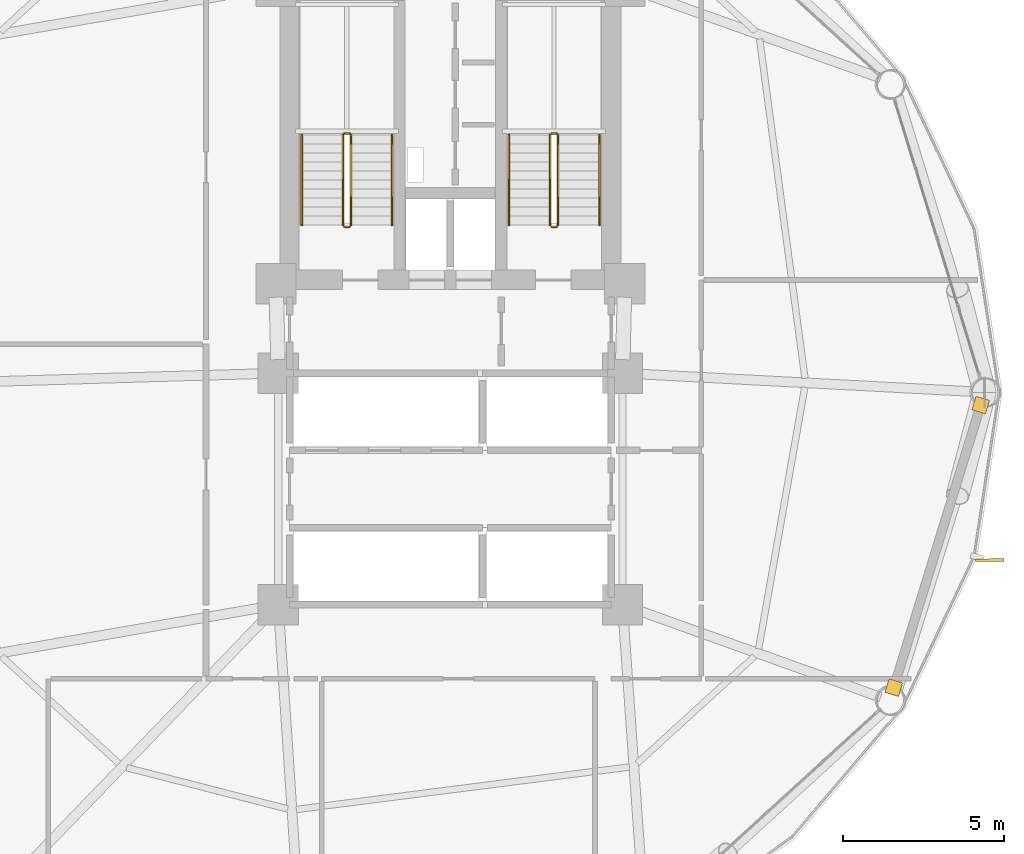
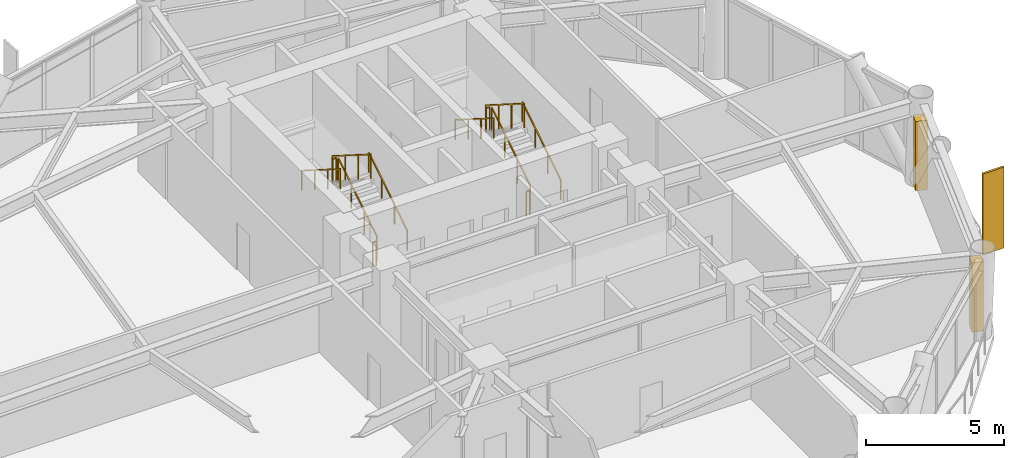
# One storey, part 25 of 26: 12 railings, 2 coverings, 1 shading device.
"""IFC4 building model written with IfcOpenShell, lengths in metres."""

from ifc_helpers import new_model, si_unit, direction, frame, origin, origin_2d, place, context, subcontext, project, spatial, rectangle, extrude, source, transform, mapped, material, layer, layer_set, type_object, type_shapes, element, save


model = new_model("IFC4")

# Units and contexts
model_context = context("Model", 3, precision=1e-05, world=origin(), true_north=direction((0.0, 1.0)))
body_context = subcontext(model_context, "Body", "Model", "MODEL_VIEW")
ifc_project = project(units=[si_unit("LENGTHUNIT", "METRE"), si_unit("AREAUNIT", "SQUARE_METRE"), si_unit("VOLUMEUNIT", "CUBIC_METRE"), si_unit("PLANEANGLEUNIT", "RADIAN"), si_unit("MASSUNIT", "GRAM", prefix="KILO")], contexts=[model_context])

# Site, building, storey
site_placement = place(None, origin())
site = spatial("IfcSite", under=ifc_project, at=site_placement, CompositionType="ELEMENT")
building_placement = place(site_placement, origin())
building = spatial("IfcBuilding", under=site, at=building_placement, Name="Varnakorn Sky Granary", CompositionType="ELEMENT")
storey_placement = place(building_placement, frame((0.0, 0.0, 51.0)))
storey = spatial("IfcBuildingStorey", under=building, at=storey_placement, Name="L12", CompositionType="ELEMENT", Elevation=51.0)

# Railings
ifc_material_1 = material(Name="Brushed Stainless Steel 316", Category="steel")
railing_type_1 = type_object("IfcRailingType", Name="RL-STAIR-1100", PredefinedType="GUARDRAIL", material=ifc_material_1)
railing_1_placement = place(storey_placement, frame((-0.090087890625, 5.199951171875, 0.17724609375)))
element("IfcRailing", 1, at=railing_1_placement, inside=storey, type_object=railing_type_1, Name="L12 ST-1 stair guard 1", PredefinedType="GUARDRAIL", context=body_context, shape_type="SweptSolid", body=[
    extrude(rectangle(XDim=0.048095703125, YDim=0.048095703125, at=origin_2d()), frame((0.0, 0.0, 1.076171875), z_axis=(0.0, 0.844908973607, 0.534910110503), x_axis=(-1.0, 0.0, 0.0)), (0.0, 0.0, 1.0), 3.31396484375),
    extrude(rectangle(XDim=0.0419921875, YDim=0.0419921875, at=origin_2d()), origin(), (0.0, 0.0, 1.0), 1.048095703125),
    extrude(rectangle(XDim=0.0419921875, YDim=0.0419921875, at=origin_2d()), frame((0.0, 0.933349609375, 0.5908203125)), (0.0, 0.0, 1.0), 1.048095703125),
    extrude(rectangle(XDim=0.0419921875, YDim=0.0419921875, at=origin_2d()), frame((0.0, 1.86669921875, 1.181884765625)), (0.0, 0.0, 1.0), 1.048095703125),
    extrude(rectangle(XDim=0.0419921875, YDim=0.0419921875, at=origin_2d()), frame((0.0, 2.800048828125, 1.772705078125)), (0.0, 0.0, 1.0), 1.048095703125),
])
railing_2_placement = place(storey_placement, frame((-0.139892578125, 8.050048828125, 1.949951171875)))
element("IfcRailing", 2, at=railing_2_placement, inside=storey, type_object=railing_type_1, Name="L12 ST-1 stair guard 2", PredefinedType="GUARDRAIL", context=body_context, shape_type="SweptSolid", body=[
    extrude(rectangle(XDim=0.048095703125, YDim=0.048095703125, at=origin_2d()), frame((0.0, 0.0, 1.076171875), z_axis=(-1.0, 0.0, 0.0), x_axis=(0.0, -1.0, 0.0)), (0.0, 0.0, 1.0), 0.150146484375),
    extrude(rectangle(XDim=0.0419921875, YDim=0.0419921875, at=origin_2d()), origin(), (0.0, 0.0, 1.0), 1.048095703125),
    extrude(rectangle(XDim=0.0419921875, YDim=0.0419921875, at=origin_2d()), frame((-0.150146484375, 0.0, 0.0)), (0.0, 0.0, 1.0), 1.048095703125),
])
railing_3_placement = place(storey_placement, frame((-0.340087890625, 8.0, 2.127197265625)))
element("IfcRailing", 3, at=railing_3_placement, inside=storey, type_object=railing_type_1, Name="L12 ST-1 stair guard 3", PredefinedType="GUARDRAIL", context=body_context, shape_type="SweptSolid", body=[
    extrude(rectangle(XDim=0.048095703125, YDim=0.048095703125, at=origin_2d()), frame((0.0, 0.0, 1.076171875), z_axis=(0.0, -0.844908973607, 0.534910110503), x_axis=(1.0, 0.0, 0.0)), (0.0, 0.0, 1.0), 3.31396484375),
    extrude(rectangle(XDim=0.0419921875, YDim=0.0419921875, at=origin_2d()), origin(), (0.0, 0.0, 1.0), 1.048095703125),
    extrude(rectangle(XDim=0.0419921875, YDim=0.0419921875, at=origin_2d()), frame((0.0, -0.933349609375, 0.5908203125)), (0.0, 0.0, 1.0), 1.048095703125),
    extrude(rectangle(XDim=0.0419921875, YDim=0.0419921875, at=origin_2d()), frame((0.0, -1.86669921875, 1.181884765625)), (0.0, 0.0, 1.0), 1.048095703125),
    extrude(rectangle(XDim=0.0419921875, YDim=0.0419921875, at=origin_2d()), frame((0.0, -2.800048828125, 1.772705078125)), (0.0, 0.0, 1.0), 1.048095703125),
])
railing_4_placement = place(storey_placement, frame((-0.139892578125, 5.14990234375, 0.0)))
element("IfcRailing", 4, at=railing_4_placement, inside=storey, type_object=railing_type_1, Name="L12 ST-1 stair guard 4", PredefinedType="GUARDRAIL", context=body_context, shape_type="SweptSolid", body=[
    extrude(rectangle(XDim=0.048095703125, YDim=0.048095703125, at=origin_2d()), frame((0.0, 0.0, 1.076171875), z_axis=(-1.0, 0.0, 0.0), x_axis=(0.0, -1.0, 0.0)), (0.0, 0.0, 1.0), 0.150146484375),
    extrude(rectangle(XDim=0.0419921875, YDim=0.0419921875, at=origin_2d()), origin(), (0.0, 0.0, 1.0), 1.048095703125),
    extrude(rectangle(XDim=0.0419921875, YDim=0.0419921875, at=origin_2d()), frame((-0.150146484375, 0.0, 0.0)), (0.0, 0.0, 1.0), 1.048095703125),
])
railing_5_placement = place(storey_placement, frame((6.35009765625, 5.199951171875, 0.17724609375)))
element("IfcRailing", 5, at=railing_5_placement, inside=storey, type_object=railing_type_1, Name="L12 ST-2 stair guard 1", PredefinedType="GUARDRAIL", context=body_context, shape_type="SweptSolid", body=[
    extrude(rectangle(XDim=0.048095703125, YDim=0.048095703125, at=origin_2d()), frame((0.0, 0.0, 1.076171875), z_axis=(0.0, 0.844908973607, 0.534910110503), x_axis=(-1.0, 0.0, 0.0)), (0.0, 0.0, 1.0), 3.31396484375),
    extrude(rectangle(XDim=0.0419921875, YDim=0.0419921875, at=origin_2d()), origin(), (0.0, 0.0, 1.0), 1.048095703125),
    extrude(rectangle(XDim=0.0419921875, YDim=0.0419921875, at=origin_2d()), frame((0.0, 0.933349609375, 0.5908203125)), (0.0, 0.0, 1.0), 1.048095703125),
    extrude(rectangle(XDim=0.0419921875, YDim=0.0419921875, at=origin_2d()), frame((0.0, 1.86669921875, 1.181884765625)), (0.0, 0.0, 1.0), 1.048095703125),
    extrude(rectangle(XDim=0.0419921875, YDim=0.0419921875, at=origin_2d()), frame((0.0, 2.800048828125, 1.772705078125)), (0.0, 0.0, 1.0), 1.048095703125),
])
railing_6_placement = place(storey_placement, frame((6.300048828125, 8.050048828125, 1.949951171875)))
element("IfcRailing", 6, at=railing_6_placement, inside=storey, type_object=railing_type_1, Name="L12 ST-2 stair guard 2", PredefinedType="GUARDRAIL", context=body_context, shape_type="SweptSolid", body=[
    extrude(rectangle(XDim=0.048095703125, YDim=0.048095703125, at=origin_2d()), frame((0.0, 0.0, 1.076171875), z_axis=(-1.0, 0.0, 0.0), x_axis=(0.0, -1.0, 0.0)), (0.0, 0.0, 1.0), 0.150146484375),
    extrude(rectangle(XDim=0.0419921875, YDim=0.0419921875, at=origin_2d()), origin(), (0.0, 0.0, 1.0), 1.048095703125),
    extrude(rectangle(XDim=0.0419921875, YDim=0.0419921875, at=origin_2d()), frame((-0.150146484375, 0.0, 0.0)), (0.0, 0.0, 1.0), 1.048095703125),
])
railing_7_placement = place(storey_placement, frame((6.10009765625, 8.0, 2.127197265625)))
element("IfcRailing", 7, at=railing_7_placement, inside=storey, type_object=railing_type_1, Name="L12 ST-2 stair guard 3", PredefinedType="GUARDRAIL", context=body_context, shape_type="SweptSolid", body=[
    extrude(rectangle(XDim=0.048095703125, YDim=0.048095703125, at=origin_2d()), frame((0.0, 0.0, 1.076171875), z_axis=(0.0, -0.844908973607, 0.534910110503), x_axis=(1.0, 0.0, 0.0)), (0.0, 0.0, 1.0), 3.31396484375),
    extrude(rectangle(XDim=0.0419921875, YDim=0.0419921875, at=origin_2d()), origin(), (0.0, 0.0, 1.0), 1.048095703125),
    extrude(rectangle(XDim=0.0419921875, YDim=0.0419921875, at=origin_2d()), frame((0.0, -0.933349609375, 0.5908203125)), (0.0, 0.0, 1.0), 1.048095703125),
    extrude(rectangle(XDim=0.0419921875, YDim=0.0419921875, at=origin_2d()), frame((0.0, -1.86669921875, 1.181884765625)), (0.0, 0.0, 1.0), 1.048095703125),
    extrude(rectangle(XDim=0.0419921875, YDim=0.0419921875, at=origin_2d()), frame((0.0, -2.800048828125, 1.772705078125)), (0.0, 0.0, 1.0), 1.048095703125),
])
railing_8_placement = place(storey_placement, frame((6.300048828125, 5.14990234375, 0.0)))
element("IfcRailing", 8, at=railing_8_placement, inside=storey, type_object=railing_type_1, Name="L12 ST-2 stair guard 4", PredefinedType="GUARDRAIL", context=body_context, shape_type="SweptSolid", body=[
    extrude(rectangle(XDim=0.048095703125, YDim=0.048095703125, at=origin_2d()), frame((0.0, 0.0, 1.076171875), z_axis=(-1.0, 0.0, 0.0), x_axis=(0.0, -1.0, 0.0)), (0.0, 0.0, 1.0), 0.150146484375),
    extrude(rectangle(XDim=0.0419921875, YDim=0.0419921875, at=origin_2d()), origin(), (0.0, 0.0, 1.0), 1.048095703125),
    extrude(rectangle(XDim=0.0419921875, YDim=0.0419921875, at=origin_2d()), frame((-0.150146484375, 0.0, 0.0)), (0.0, 0.0, 1.0), 1.048095703125),
])
railing_type_2 = type_object("IfcRailingType", Name="RL-STAIR-920", PredefinedType="HANDRAIL", material=ifc_material_1)
railing_9_placement = place(storey_placement, frame((1.18994140625, 5.199951171875, 0.17724609375)))
element("IfcRailing", 9, at=railing_9_placement, inside=storey, type_object=railing_type_2, Name="L12 ST-1 stair handrail 1", PredefinedType="HANDRAIL", context=body_context, shape_type="SweptSolid", body=[
    extrude(rectangle(XDim=0.048095703125, YDim=0.048095703125, at=origin_2d()), frame((0.0, 0.0, 0.8759765625), z_axis=(0.0, 0.844908973607, 0.534910110503), x_axis=(-1.0, 0.0, 0.0)), (0.0, 0.0, 1.0), 3.31396484375),
    extrude(rectangle(XDim=0.0419921875, YDim=0.0419921875, at=origin_2d()), origin(), (0.0, 0.0, 1.0), 0.847900390625),
    extrude(rectangle(XDim=0.0419921875, YDim=0.0419921875, at=origin_2d()), frame((0.0, 0.933349609375, 0.5908203125)), (0.0, 0.0, 1.0), 0.847900390625),
    extrude(rectangle(XDim=0.0419921875, YDim=0.0419921875, at=origin_2d()), frame((0.0, 1.86669921875, 1.181884765625)), (0.0, 0.0, 1.0), 0.847900390625),
    extrude(rectangle(XDim=0.0419921875, YDim=0.0419921875, at=origin_2d()), frame((0.0, 2.800048828125, 1.772705078125)), (0.0, 0.0, 1.0), 0.847900390625),
])
railing_10_placement = place(storey_placement, frame((-1.6201171875, 8.0, 2.127197265625)))
element("IfcRailing", 10, at=railing_10_placement, inside=storey, type_object=railing_type_2, Name="L12 ST-1 stair handrail 2", PredefinedType="HANDRAIL", context=body_context, shape_type="SweptSolid", body=[
    extrude(rectangle(XDim=0.048095703125, YDim=0.048095703125, at=origin_2d()), frame((0.0, 0.0, 0.8759765625), z_axis=(0.0, -0.844908973607, 0.534910110503), x_axis=(1.0, 0.0, 0.0)), (0.0, 0.0, 1.0), 3.31396484375),
    extrude(rectangle(XDim=0.0419921875, YDim=0.0419921875, at=origin_2d()), origin(), (0.0, 0.0, 1.0), 0.847900390625),
    extrude(rectangle(XDim=0.0419921875, YDim=0.0419921875, at=origin_2d()), frame((0.0, -0.933349609375, 0.5908203125)), (0.0, 0.0, 1.0), 0.847900390625),
    extrude(rectangle(XDim=0.0419921875, YDim=0.0419921875, at=origin_2d()), frame((0.0, -1.86669921875, 1.181884765625)), (0.0, 0.0, 1.0), 0.847900390625),
    extrude(rectangle(XDim=0.0419921875, YDim=0.0419921875, at=origin_2d()), frame((0.0, -2.800048828125, 1.772705078125)), (0.0, 0.0, 1.0), 0.847900390625),
])
railing_11_placement = place(storey_placement, frame((7.6298828125, 5.199951171875, 0.17724609375)))
element("IfcRailing", 11, at=railing_11_placement, inside=storey, type_object=railing_type_2, Name="L12 ST-2 stair handrail 1", PredefinedType="HANDRAIL", context=body_context, shape_type="SweptSolid", body=[
    extrude(rectangle(XDim=0.048095703125, YDim=0.048095703125, at=origin_2d()), frame((0.0, 0.0, 0.8759765625), z_axis=(0.0, 0.844908973607, 0.534910110503), x_axis=(-1.0, 0.0, 0.0)), (0.0, 0.0, 1.0), 3.31396484375),
    extrude(rectangle(XDim=0.0419921875, YDim=0.0419921875, at=origin_2d()), origin(), (0.0, 0.0, 1.0), 0.847900390625),
    extrude(rectangle(XDim=0.0419921875, YDim=0.0419921875, at=origin_2d()), frame((0.0, 0.933349609375, 0.5908203125)), (0.0, 0.0, 1.0), 0.847900390625),
    extrude(rectangle(XDim=0.0419921875, YDim=0.0419921875, at=origin_2d()), frame((0.0, 1.86669921875, 1.181884765625)), (0.0, 0.0, 1.0), 0.847900390625),
    extrude(rectangle(XDim=0.0419921875, YDim=0.0419921875, at=origin_2d()), frame((0.0, 2.800048828125, 1.772705078125)), (0.0, 0.0, 1.0), 0.847900390625),
])
railing_12_placement = place(storey_placement, frame((4.820068359375, 8.0, 2.127197265625)))
element("IfcRailing", 12, at=railing_12_placement, inside=storey, type_object=railing_type_2, Name="L12 ST-2 stair handrail 2", PredefinedType="HANDRAIL", context=body_context, shape_type="SweptSolid", body=[
    extrude(rectangle(XDim=0.048095703125, YDim=0.048095703125, at=origin_2d()), frame((0.0, 0.0, 0.8759765625), z_axis=(0.0, -0.844908973607, 0.534910110503), x_axis=(1.0, 0.0, 0.0)), (0.0, 0.0, 1.0), 3.31396484375),
    extrude(rectangle(XDim=0.0419921875, YDim=0.0419921875, at=origin_2d()), origin(), (0.0, 0.0, 1.0), 0.847900390625),
    extrude(rectangle(XDim=0.0419921875, YDim=0.0419921875, at=origin_2d()), frame((0.0, -0.933349609375, 0.5908203125)), (0.0, 0.0, 1.0), 0.847900390625),
    extrude(rectangle(XDim=0.0419921875, YDim=0.0419921875, at=origin_2d()), frame((0.0, -1.86669921875, 1.181884765625)), (0.0, 0.0, 1.0), 0.847900390625),
    extrude(rectangle(XDim=0.0419921875, YDim=0.0419921875, at=origin_2d()), frame((0.0, -2.800048828125, 1.772705078125)), (0.0, 0.0, 1.0), 0.847900390625),
])

# Shading device
ifc_material_2 = material(Name="Anodised Bronze Aluminium Alloy 6063-T6", Category="aluminium")
shading_device_type = type_object("IfcShadingDeviceType", Name="SH-FIN-01", PredefinedType="USERDEFINED", material=ifc_material_2)
shared_shape_1 = source(origin(), body_context, "Body", "SweptSolid", [
    extrude(rectangle(XDim=0.0849609375, YDim=0.8798828125, at=origin_2d()), origin(), (0.0, 0.0, 1.0), 3.60009765625),
])
type_shapes(shading_device_type, [shared_shape_1])
shading_device_placement = place(storey_placement, frame((19.765625, -5.211669921875, -0.0400390625), z_axis=(0.0, 0.0, 1.0), x_axis=(-0.007270617003, 0.999973568715, 0.0)))
element("IfcShadingDevice", 13, at=shading_device_placement, inside=storey, type_object=shading_device_type, Name="Bronze Solar-Tracking Vertical Blade FIN L12-12", ObjectType="FIN", PredefinedType="USERDEFINED", context=body_context, shape_type="MappedRepresentation", body=[
    mapped(shared_shape_1, transform((0.0, 0.0, 0.0), x_axis=(1.0, 0.0, 0.0), y_axis=(0.0, 1.0, 0.0), z_axis=(0.0, 0.0, 1.0), scale=1.0)),
])

# Coverings
ifc_layer = layer(ifc_material_2, 0.050048828125, Name="Anodised Bronze Aluminium Alloy 6063-T6")
ifc_layer_set = layer_set([ifc_layer], Name="Anodised Bronze Aluminium Alloy 6063-T6")
covering_type = type_object("IfcCoveringType", Name="CV-CLAD-50", PredefinedType="CLADDING", material=ifc_layer_set)
shared_shape_2 = source(origin(), body_context, "Body", "SweptSolid", [
    extrude(rectangle(XDim=0.43994140625, YDim=0.43994140625, at=origin_2d()), origin(), (0.0, 0.0, 1.0), 3.080078125),
])
type_shapes(covering_type, [shared_shape_2])
for number, where, z_axis, x_axis, name in (
    (14, (19.48681640625, -0.393798828125, -0.02001953125), (0.0, 0.0, 1.0), (-0.294207138104, -0.955741680523, 0.0), "Bronze Corner Pilaster Closure L12-P12-A"),
    (15, (16.784423828125, -9.17529296875, -0.02001953125), (0.0, 0.0, 1.0), (-0.294207138104, -0.955741680523, 0.0), "Bronze Corner Pilaster Closure L12-P12-B"),
):
    element("IfcCovering", number, at=place(storey_placement, frame(where, z_axis=z_axis, x_axis=x_axis)), inside=storey, type_object=covering_type, Name=name, PredefinedType="CLADDING", context=body_context, shape_type="MappedRepresentation", body=[
        mapped(shared_shape_2, transform((0.0, 0.0, 0.0), x_axis=(1.0, 0.0, 0.0), y_axis=(0.0, 1.0, 0.0), z_axis=(0.0, 0.0, 1.0), scale=1.0)),
    ])

save(model, "model.ifc")
